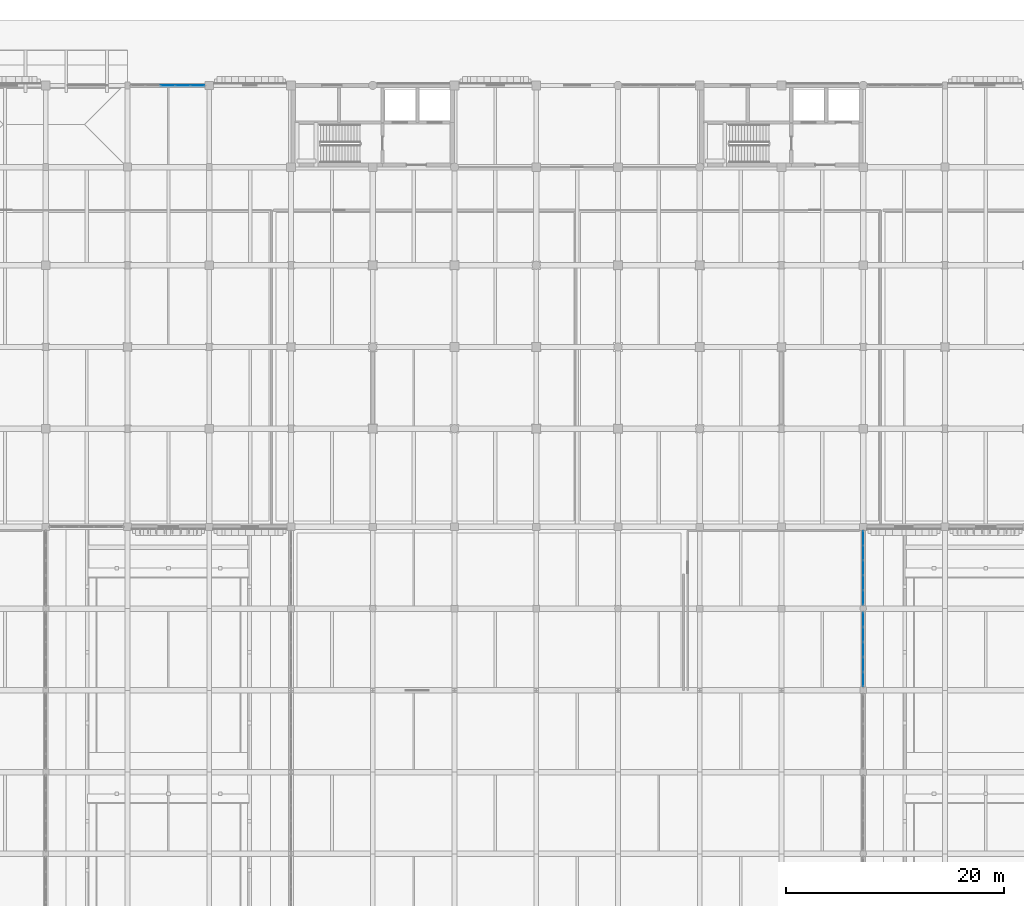
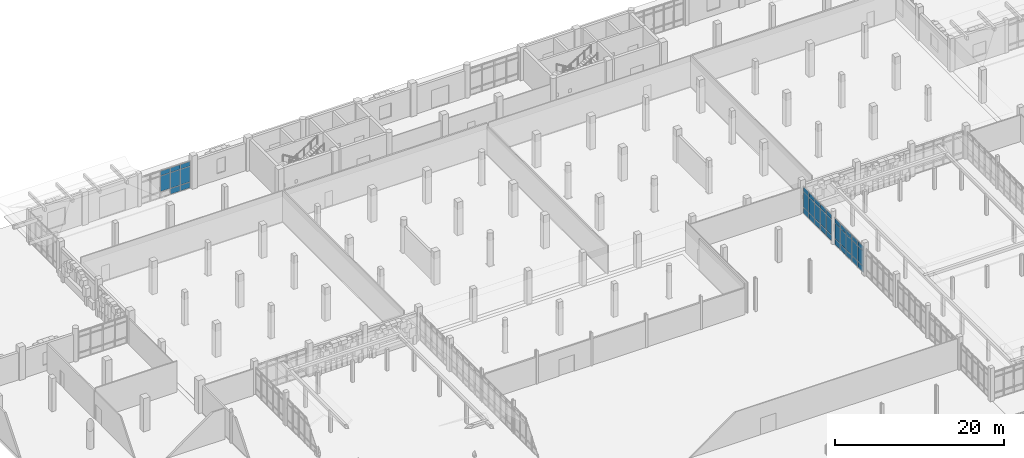
# One storey, part 79 of 125: 38 plates, 3 elements without a shape of their own.
"""IFC4 building model written with IfcOpenShell, lengths in metres."""

from ifc_helpers import new_model, si_unit, direction, frame, origin, origin_2d, place, context, subcontext, project, spatial, rectangle, extrude, material, layer, layer_set, type_object, element, aggregate, save


model = new_model("IFC4")

# Units and contexts
model_context = context("Model", 3, precision=1e-05, world=origin(), true_north=direction((0.0, 1.0)))
body_context = subcontext(model_context, "Body", "Model", "MODEL_VIEW")
ifc_project = project(units=[si_unit("LENGTHUNIT", "METRE"), si_unit("AREAUNIT", "SQUARE_METRE"), si_unit("VOLUMEUNIT", "CUBIC_METRE"), si_unit("PLANEANGLEUNIT", "RADIAN"), si_unit("MASSUNIT", "GRAM", prefix="KILO")], contexts=[model_context])

# Site, building, storey
site_placement = place(None, origin())
site = spatial("IfcSite", under=ifc_project, at=site_placement, CompositionType="ELEMENT")
building_placement = place(site_placement, origin())
building = spatial("IfcBuilding", under=site, at=building_placement, Name="Dalvernix Boulevard General Hospital", CompositionType="ELEMENT")
storey_placement = place(building_placement, origin())
storey = spatial("IfcBuildingStorey", under=building, at=storey_placement, Name="L00", CompositionType="ELEMENT", Elevation=0.0)

# Curtain wall, plates
ifc_material_1 = material(Name="Thermally broken aluminium and solar-control glass curtain wall", Category="aluminium")
ifc_layer_1 = layer(ifc_material_1, 0.159912109375)
ifc_layer_set_1 = layer_set([ifc_layer_1], Name="Thermally broken aluminium and solar-control glass curtain wall (CW-CW-A-69x40)")
curtain_wall_type_1 = type_object("IfcCurtainWallType", Name="CW-CW-A-69x40", PredefinedType="USERDEFINED", material=ifc_layer_set_1)
curtain_wall_1_placement = place(storey_placement, origin())
curtain_wall_1 = element("IfcCurtainWall", 1, at=curtain_wall_1_placement, inside=storey, type_object=curtain_wall_type_1, Name="L00 curtain wall CW-A-69x40 6-15", ObjectType="GLAZED FACADE", PredefinedType="USERDEFINED")
ifc_material_2 = material(Name="Double-glazed solar-control low-emissivity glass", Category="glass")
ifc_layer_2 = layer(ifc_material_2, 0.02392578125)
ifc_layer_set_2 = layer_set([ifc_layer_2], Name="Double-glazed solar-control low-emissivity glass (PLT-CW-P1)")
plate_type_1 = type_object("IfcPlateType", Name="PLT-CW-P1", PredefinedType="CURTAIN_PANEL", material=ifc_layer_set_2)
plate_1_placement = place(storey_placement, frame((48.6875, 117.0, 0.93017578125), z_axis=(0.0, 0.0, 1.0), x_axis=(1.0, 0.0, 0.0)))
plate_1 = element("IfcPlate", 2, at=plate_1_placement, type_object=plate_type_1, Name="CW-A-69x40 panel 3.2", PredefinedType="CURTAIN_PANEL", context=body_context, shape_type="SweptSolid", body=[
    extrude(rectangle(XDim=1.31103515625, YDim=0.02392578125, at=origin_2d()), origin(), (0.0, 0.0, 1.0), 2.239990234375),
])
plate_2_placement = place(storey_placement, frame((48.6875, 117.0, 3.22998046875), z_axis=(0.0, 0.0, 1.0), x_axis=(1.0, 0.0, 0.0)))
plate_2 = element("IfcPlate", 3, at=plate_2_placement, type_object=plate_type_1, Name="CW-A-69x40 panel 3.3", PredefinedType="CURTAIN_PANEL", context=body_context, shape_type="SweptSolid", body=[
    extrude(rectangle(XDim=1.31103515625, YDim=0.02392578125, at=origin_2d()), origin(), (0.0, 0.0, 1.0), 0.659912109375),
])
plate_3_placement = place(storey_placement, frame((50.05859375, 117.0, 0.06005859375), z_axis=(0.0, 0.0, 1.0), x_axis=(1.0, 0.0, 0.0)))
plate_3 = element("IfcPlate", 4, at=plate_3_placement, type_object=plate_type_1, Name="CW-A-69x40 panel 4.1", PredefinedType="CURTAIN_PANEL", context=body_context, shape_type="SweptSolid", body=[
    extrude(rectangle(XDim=1.31103515625, YDim=0.02392578125, at=origin_2d()), origin(), (0.0, 0.0, 1.0), 0.81005859375),
])
plate_4_placement = place(storey_placement, frame((50.05859375, 117.0, 0.93017578125), z_axis=(0.0, 0.0, 1.0), x_axis=(1.0, 0.0, 0.0)))
plate_4 = element("IfcPlate", 5, at=plate_4_placement, type_object=plate_type_1, Name="CW-A-69x40 panel 4.2", PredefinedType="CURTAIN_PANEL", context=body_context, shape_type="SweptSolid", body=[
    extrude(rectangle(XDim=1.31103515625, YDim=0.02392578125, at=origin_2d()), origin(), (0.0, 0.0, 1.0), 2.239990234375),
])
plate_5_placement = place(storey_placement, frame((50.05859375, 117.0, 3.22998046875), z_axis=(0.0, 0.0, 1.0), x_axis=(1.0, 0.0, 0.0)))
plate_5 = element("IfcPlate", 6, at=plate_5_placement, type_object=plate_type_1, Name="CW-A-69x40 panel 4.3", PredefinedType="CURTAIN_PANEL", context=body_context, shape_type="SweptSolid", body=[
    extrude(rectangle(XDim=1.31103515625, YDim=0.02392578125, at=origin_2d()), origin(), (0.0, 0.0, 1.0), 0.659912109375),
])
plate_6_placement = place(storey_placement, frame((51.41455078125, 117.0, 0.06005859375), z_axis=(0.0, 0.0, 1.0), x_axis=(1.0, 0.0, 0.0)))
plate_6 = element("IfcPlate", 7, at=plate_6_placement, type_object=plate_type_1, Name="CW-A-69x40 panel 5.1", PredefinedType="CURTAIN_PANEL", context=body_context, shape_type="SweptSolid", body=[
    extrude(rectangle(XDim=1.281005859375, YDim=0.02392578125, at=origin_2d()), origin(), (0.0, 0.0, 1.0), 0.81005859375),
])
plate_7_placement = place(storey_placement, frame((51.41455078125, 117.0, 0.93017578125), z_axis=(0.0, 0.0, 1.0), x_axis=(1.0, 0.0, 0.0)))
plate_7 = element("IfcPlate", 8, at=plate_7_placement, type_object=plate_type_1, Name="CW-A-69x40 panel 5.2", PredefinedType="CURTAIN_PANEL", context=body_context, shape_type="SweptSolid", body=[
    extrude(rectangle(XDim=1.281005859375, YDim=0.02392578125, at=origin_2d()), origin(), (0.0, 0.0, 1.0), 2.239990234375),
])
plate_8_placement = place(storey_placement, frame((51.41455078125, 117.0, 3.22998046875), z_axis=(0.0, 0.0, 1.0), x_axis=(1.0, 0.0, 0.0)))
plate_8 = element("IfcPlate", 9, at=plate_8_placement, type_object=plate_type_1, Name="CW-A-69x40 panel 5.3", PredefinedType="CURTAIN_PANEL", context=body_context, shape_type="SweptSolid", body=[
    extrude(rectangle(XDim=1.281005859375, YDim=0.02392578125, at=origin_2d()), origin(), (0.0, 0.0, 1.0), 0.659912109375),
])
aggregate(curtain_wall_1, [plate_1, plate_2, plate_3, plate_4, plate_5, plate_6, plate_7, plate_8])

ifc_layer_3 = layer(ifc_material_1, 0.159912109375)
ifc_layer_set_3 = layer_set([ifc_layer_3], Name="Thermally broken aluminium and solar-control glass curtain wall (CW-CW-A-69x39)")
curtain_wall_type_2 = type_object("IfcCurtainWallType", Name="CW-CW-A-69x39", PredefinedType="USERDEFINED", material=ifc_layer_set_3)
curtain_wall_2_placement = place(storey_placement, origin())
curtain_wall_2 = element("IfcCurtainWall", 10, at=curtain_wall_2_placement, inside=storey, type_object=curtain_wall_type_2, Name="L00 curtain wall CW-A-69x39 15-9", ObjectType="GLAZED FACADE", PredefinedType="USERDEFINED")
plate_9_placement = place(storey_placement, frame((112.5, 75.464599609375, 0.06005859375), z_axis=(0.0, 0.0, 1.0), x_axis=(0.0, -1.0, 0.0)))
plate_9 = element("IfcPlate", 11, at=plate_9_placement, type_object=plate_type_1, Name="CW-A-69x39 panel 1.1", PredefinedType="CURTAIN_PANEL", context=body_context, shape_type="SweptSolid", body=[
    extrude(rectangle(XDim=1.281005859375, YDim=0.02392578125, at=origin_2d()), origin(), (0.0, 0.0, 1.0), 0.81005859375),
])
plate_10_placement = place(storey_placement, frame((112.5, 75.464599609375, 0.929931640625), z_axis=(0.0, 0.0, 1.0), x_axis=(0.0, -1.0, 0.0)))
plate_10 = element("IfcPlate", 12, at=plate_10_placement, type_object=plate_type_1, Name="CW-A-69x39 panel 1.2", PredefinedType="CURTAIN_PANEL", context=body_context, shape_type="SweptSolid", body=[
    extrude(rectangle(XDim=1.281005859375, YDim=0.02392578125, at=origin_2d()), origin(), (0.0, 0.0, 1.0), 2.18994140625),
])
plate_11_placement = place(storey_placement, frame((112.5, 75.464599609375, 3.18017578125), z_axis=(0.0, 0.0, 1.0), x_axis=(0.0, -1.0, 0.0)))
plate_11 = element("IfcPlate", 13, at=plate_11_placement, type_object=plate_type_1, Name="CW-A-69x39 panel 1.3", PredefinedType="CURTAIN_PANEL", context=body_context, shape_type="SweptSolid", body=[
    extrude(rectangle(XDim=1.281005859375, YDim=0.02392578125, at=origin_2d()), origin(), (0.0, 0.0, 1.0), 0.659912109375),
])
plate_12_placement = place(storey_placement, frame((112.5, 74.1083984375, 0.06005859375), z_axis=(0.0, 0.0, 1.0), x_axis=(0.0, -1.0, 0.0)))
plate_12 = element("IfcPlate", 14, at=plate_12_placement, type_object=plate_type_1, Name="CW-A-69x39 panel 2.1", PredefinedType="CURTAIN_PANEL", context=body_context, shape_type="SweptSolid", body=[
    extrude(rectangle(XDim=1.31103515625, YDim=0.02392578125, at=origin_2d()), origin(), (0.0, 0.0, 1.0), 0.81005859375),
])
plate_13_placement = place(storey_placement, frame((112.5, 74.1083984375, 0.929931640625), z_axis=(0.0, 0.0, 1.0), x_axis=(0.0, -1.0, 0.0)))
plate_13 = element("IfcPlate", 15, at=plate_13_placement, type_object=plate_type_1, Name="CW-A-69x39 panel 2.2", PredefinedType="CURTAIN_PANEL", context=body_context, shape_type="SweptSolid", body=[
    extrude(rectangle(XDim=1.31103515625, YDim=0.02392578125, at=origin_2d()), origin(), (0.0, 0.0, 1.0), 2.18994140625),
])
plate_14_placement = place(storey_placement, frame((112.5, 74.1083984375, 3.18017578125), z_axis=(0.0, 0.0, 1.0), x_axis=(0.0, -1.0, 0.0)))
plate_14 = element("IfcPlate", 16, at=plate_14_placement, type_object=plate_type_1, Name="CW-A-69x39 panel 2.3", PredefinedType="CURTAIN_PANEL", context=body_context, shape_type="SweptSolid", body=[
    extrude(rectangle(XDim=1.31103515625, YDim=0.02392578125, at=origin_2d()), origin(), (0.0, 0.0, 1.0), 0.659912109375),
])
plate_15_placement = place(storey_placement, frame((112.5, 72.737548828125, 0.06005859375), z_axis=(0.0, 0.0, 1.0), x_axis=(0.0, -1.0, 0.0)))
plate_15 = element("IfcPlate", 17, at=plate_15_placement, type_object=plate_type_1, Name="CW-A-69x39 panel 3.1", PredefinedType="CURTAIN_PANEL", context=body_context, shape_type="SweptSolid", body=[
    extrude(rectangle(XDim=1.31103515625, YDim=0.02392578125, at=origin_2d()), origin(), (0.0, 0.0, 1.0), 0.81005859375),
])
plate_16_placement = place(storey_placement, frame((112.5, 72.737548828125, 0.929931640625), z_axis=(0.0, 0.0, 1.0), x_axis=(0.0, -1.0, 0.0)))
plate_16 = element("IfcPlate", 18, at=plate_16_placement, type_object=plate_type_1, Name="CW-A-69x39 panel 3.2", PredefinedType="CURTAIN_PANEL", context=body_context, shape_type="SweptSolid", body=[
    extrude(rectangle(XDim=1.31103515625, YDim=0.02392578125, at=origin_2d()), origin(), (0.0, 0.0, 1.0), 2.18994140625),
])
plate_17_placement = place(storey_placement, frame((112.5, 72.737548828125, 3.18017578125), z_axis=(0.0, 0.0, 1.0), x_axis=(0.0, -1.0, 0.0)))
plate_17 = element("IfcPlate", 19, at=plate_17_placement, type_object=plate_type_1, Name="CW-A-69x39 panel 3.3", PredefinedType="CURTAIN_PANEL", context=body_context, shape_type="SweptSolid", body=[
    extrude(rectangle(XDim=1.31103515625, YDim=0.02392578125, at=origin_2d()), origin(), (0.0, 0.0, 1.0), 0.659912109375),
])
plate_18_placement = place(storey_placement, frame((112.5, 71.366455078125, 0.06005859375), z_axis=(0.0, 0.0, 1.0), x_axis=(0.0, -1.0, 0.0)))
plate_18 = element("IfcPlate", 20, at=plate_18_placement, type_object=plate_type_1, Name="CW-A-69x39 panel 4.1", PredefinedType="CURTAIN_PANEL", context=body_context, shape_type="SweptSolid", body=[
    extrude(rectangle(XDim=1.31103515625, YDim=0.02392578125, at=origin_2d()), origin(), (0.0, 0.0, 1.0), 0.81005859375),
])
plate_19_placement = place(storey_placement, frame((112.5, 71.366455078125, 0.929931640625), z_axis=(0.0, 0.0, 1.0), x_axis=(0.0, -1.0, 0.0)))
plate_19 = element("IfcPlate", 21, at=plate_19_placement, type_object=plate_type_1, Name="CW-A-69x39 panel 4.2", PredefinedType="CURTAIN_PANEL", context=body_context, shape_type="SweptSolid", body=[
    extrude(rectangle(XDim=1.31103515625, YDim=0.02392578125, at=origin_2d()), origin(), (0.0, 0.0, 1.0), 2.18994140625),
])
plate_20_placement = place(storey_placement, frame((112.5, 71.366455078125, 3.18017578125), z_axis=(0.0, 0.0, 1.0), x_axis=(0.0, -1.0, 0.0)))
plate_20 = element("IfcPlate", 22, at=plate_20_placement, type_object=plate_type_1, Name="CW-A-69x39 panel 4.3", PredefinedType="CURTAIN_PANEL", context=body_context, shape_type="SweptSolid", body=[
    extrude(rectangle(XDim=1.31103515625, YDim=0.02392578125, at=origin_2d()), origin(), (0.0, 0.0, 1.0), 0.659912109375),
])
plate_21_placement = place(storey_placement, frame((112.5, 70.010498046875, 0.06005859375), z_axis=(0.0, 0.0, 1.0), x_axis=(0.0, -1.0, 0.0)))
plate_21 = element("IfcPlate", 23, at=plate_21_placement, type_object=plate_type_1, Name="CW-A-69x39 panel 5.1", PredefinedType="CURTAIN_PANEL", context=body_context, shape_type="SweptSolid", body=[
    extrude(rectangle(XDim=1.281005859375, YDim=0.02392578125, at=origin_2d()), origin(), (0.0, 0.0, 1.0), 0.81005859375),
])
plate_22_placement = place(storey_placement, frame((112.5, 70.010498046875, 0.929931640625), z_axis=(0.0, 0.0, 1.0), x_axis=(0.0, -1.0, 0.0)))
plate_22 = element("IfcPlate", 24, at=plate_22_placement, type_object=plate_type_1, Name="CW-A-69x39 panel 5.2", PredefinedType="CURTAIN_PANEL", context=body_context, shape_type="SweptSolid", body=[
    extrude(rectangle(XDim=1.281005859375, YDim=0.02392578125, at=origin_2d()), origin(), (0.0, 0.0, 1.0), 2.18994140625),
])
plate_23_placement = place(storey_placement, frame((112.5, 70.010498046875, 3.18017578125), z_axis=(0.0, 0.0, 1.0), x_axis=(0.0, -1.0, 0.0)))
plate_23 = element("IfcPlate", 25, at=plate_23_placement, type_object=plate_type_1, Name="CW-A-69x39 panel 5.3", PredefinedType="CURTAIN_PANEL", context=body_context, shape_type="SweptSolid", body=[
    extrude(rectangle(XDim=1.281005859375, YDim=0.02392578125, at=origin_2d()), origin(), (0.0, 0.0, 1.0), 0.659912109375),
])
aggregate(curtain_wall_2, [plate_9, plate_10, plate_11, plate_12, plate_13, plate_14, plate_15, plate_16, plate_17, plate_18, plate_19, plate_20, plate_21, plate_22, plate_23])

ifc_layer_4 = layer(ifc_material_1, 0.199951171875)
ifc_layer_set_4 = layer_set([ifc_layer_4], Name="Thermally broken aluminium and solar-control glass curtain wall (CW-CW-C-69x39)")
curtain_wall_type_3 = type_object("IfcCurtainWallType", Name="CW-CW-C-69x39", PredefinedType="USERDEFINED", material=ifc_layer_set_4)
curtain_wall_3_placement = place(storey_placement, origin())
curtain_wall_3 = element("IfcCurtainWall", 26, at=curtain_wall_3_placement, inside=storey, type_object=curtain_wall_type_3, Name="L00 curtain wall CW-C-69x39 15-8", ObjectType="GLAZED FACADE", PredefinedType="USERDEFINED")
ifc_layer_5 = layer(ifc_material_2, 0.035888671875)
ifc_layer_set_5 = layer_set([ifc_layer_5], Name="Double-glazed solar-control low-emissivity glass (PLT-CW-P3)")
plate_type_2 = type_object("IfcPlateType", Name="PLT-CW-P3", PredefinedType="CURTAIN_PANEL", material=ifc_layer_set_5)
plate_24_placement = place(storey_placement, frame((112.5, 67.984619140625, 0.070068359375), z_axis=(0.0, 0.0, 1.0), x_axis=(0.0, -1.0, 0.0)))
plate_24 = element("IfcPlate", 27, at=plate_24_placement, type_object=plate_type_2, Name="CW-C-69x39 panel 1.1", PredefinedType="CURTAIN_PANEL", context=body_context, shape_type="SweptSolid", body=[
    extrude(rectangle(XDim=1.27099609375, YDim=0.035888671875, at=origin_2d()), origin(), (0.0, 0.0, 1.0), 0.794921875),
])
plate_25_placement = place(storey_placement, frame((112.5, 67.984619140625, 0.93505859375), z_axis=(0.0, 0.0, 1.0), x_axis=(0.0, -1.0, 0.0)))
plate_25 = element("IfcPlate", 28, at=plate_25_placement, type_object=plate_type_2, Name="CW-C-69x39 panel 1.2", PredefinedType="CURTAIN_PANEL", context=body_context, shape_type="SweptSolid", body=[
    extrude(rectangle(XDim=1.27099609375, YDim=0.035888671875, at=origin_2d()), origin(), (0.0, 0.0, 1.0), 2.179931640625),
])
plate_26_placement = place(storey_placement, frame((112.5, 67.984619140625, 3.18505859375), z_axis=(0.0, 0.0, 1.0), x_axis=(0.0, -1.0, 0.0)))
plate_26 = element("IfcPlate", 29, at=plate_26_placement, type_object=plate_type_2, Name="CW-C-69x39 panel 1.3", PredefinedType="CURTAIN_PANEL", context=body_context, shape_type="SweptSolid", body=[
    extrude(rectangle(XDim=1.27099609375, YDim=0.035888671875, at=origin_2d()), origin(), (0.0, 0.0, 1.0), 0.64501953125),
])
plate_27_placement = place(storey_placement, frame((112.5, 66.6259765625, 0.070068359375), z_axis=(0.0, 0.0, 1.0), x_axis=(0.0, -1.0, 0.0)))
plate_27 = element("IfcPlate", 30, at=plate_27_placement, type_object=plate_type_2, Name="CW-C-69x39 panel 2.1", PredefinedType="CURTAIN_PANEL", context=body_context, shape_type="SweptSolid", body=[
    extrude(rectangle(XDim=1.305908203125, YDim=0.035888671875, at=origin_2d()), origin(), (0.0, 0.0, 1.0), 0.794921875),
])
plate_28_placement = place(storey_placement, frame((112.5, 66.6259765625, 0.93505859375), z_axis=(0.0, 0.0, 1.0), x_axis=(0.0, -1.0, 0.0)))
plate_28 = element("IfcPlate", 31, at=plate_28_placement, type_object=plate_type_2, Name="CW-C-69x39 panel 2.2", PredefinedType="CURTAIN_PANEL", context=body_context, shape_type="SweptSolid", body=[
    extrude(rectangle(XDim=1.305908203125, YDim=0.035888671875, at=origin_2d()), origin(), (0.0, 0.0, 1.0), 2.179931640625),
])
plate_29_placement = place(storey_placement, frame((112.5, 66.6259765625, 3.18505859375), z_axis=(0.0, 0.0, 1.0), x_axis=(0.0, -1.0, 0.0)))
plate_29 = element("IfcPlate", 32, at=plate_29_placement, type_object=plate_type_2, Name="CW-C-69x39 panel 2.3", PredefinedType="CURTAIN_PANEL", context=body_context, shape_type="SweptSolid", body=[
    extrude(rectangle(XDim=1.305908203125, YDim=0.035888671875, at=origin_2d()), origin(), (0.0, 0.0, 1.0), 0.64501953125),
])
plate_30_placement = place(storey_placement, frame((112.5, 65.25, 0.070068359375), z_axis=(0.0, 0.0, 1.0), x_axis=(0.0, -1.0, 0.0)))
plate_30 = element("IfcPlate", 33, at=plate_30_placement, type_object=plate_type_2, Name="CW-C-69x39 panel 3.1", PredefinedType="CURTAIN_PANEL", context=body_context, shape_type="SweptSolid", body=[
    extrude(rectangle(XDim=1.305908203125, YDim=0.035888671875, at=origin_2d()), origin(), (0.0, 0.0, 1.0), 0.794921875),
])
plate_31_placement = place(storey_placement, frame((112.5, 65.25, 0.93505859375), z_axis=(0.0, 0.0, 1.0), x_axis=(0.0, -1.0, 0.0)))
plate_31 = element("IfcPlate", 34, at=plate_31_placement, type_object=plate_type_2, Name="CW-C-69x39 panel 3.2", PredefinedType="CURTAIN_PANEL", context=body_context, shape_type="SweptSolid", body=[
    extrude(rectangle(XDim=1.305908203125, YDim=0.035888671875, at=origin_2d()), origin(), (0.0, 0.0, 1.0), 2.179931640625),
])
plate_32_placement = place(storey_placement, frame((112.5, 65.25, 3.18505859375), z_axis=(0.0, 0.0, 1.0), x_axis=(0.0, -1.0, 0.0)))
plate_32 = element("IfcPlate", 35, at=plate_32_placement, type_object=plate_type_2, Name="CW-C-69x39 panel 3.3", PredefinedType="CURTAIN_PANEL", context=body_context, shape_type="SweptSolid", body=[
    extrude(rectangle(XDim=1.305908203125, YDim=0.035888671875, at=origin_2d()), origin(), (0.0, 0.0, 1.0), 0.64501953125),
])
plate_33_placement = place(storey_placement, frame((112.5, 63.8740234375, 0.070068359375), z_axis=(0.0, 0.0, 1.0), x_axis=(0.0, -1.0, 0.0)))
plate_33 = element("IfcPlate", 36, at=plate_33_placement, type_object=plate_type_2, Name="CW-C-69x39 panel 4.1", PredefinedType="CURTAIN_PANEL", context=body_context, shape_type="SweptSolid", body=[
    extrude(rectangle(XDim=1.305908203125, YDim=0.035888671875, at=origin_2d()), origin(), (0.0, 0.0, 1.0), 0.794921875),
])
plate_34_placement = place(storey_placement, frame((112.5, 63.8740234375, 0.93505859375), z_axis=(0.0, 0.0, 1.0), x_axis=(0.0, -1.0, 0.0)))
plate_34 = element("IfcPlate", 37, at=plate_34_placement, type_object=plate_type_2, Name="CW-C-69x39 panel 4.2", PredefinedType="CURTAIN_PANEL", context=body_context, shape_type="SweptSolid", body=[
    extrude(rectangle(XDim=1.305908203125, YDim=0.035888671875, at=origin_2d()), origin(), (0.0, 0.0, 1.0), 2.179931640625),
])
plate_35_placement = place(storey_placement, frame((112.5, 63.8740234375, 3.18505859375), z_axis=(0.0, 0.0, 1.0), x_axis=(0.0, -1.0, 0.0)))
plate_35 = element("IfcPlate", 38, at=plate_35_placement, type_object=plate_type_2, Name="CW-C-69x39 panel 4.3", PredefinedType="CURTAIN_PANEL", context=body_context, shape_type="SweptSolid", body=[
    extrude(rectangle(XDim=1.305908203125, YDim=0.035888671875, at=origin_2d()), origin(), (0.0, 0.0, 1.0), 0.64501953125),
])
plate_36_placement = place(storey_placement, frame((112.5, 62.515380859375, 0.070068359375), z_axis=(0.0, 0.0, 1.0), x_axis=(0.0, -1.0, 0.0)))
plate_36 = element("IfcPlate", 39, at=plate_36_placement, type_object=plate_type_2, Name="CW-C-69x39 panel 5.1", PredefinedType="CURTAIN_PANEL", context=body_context, shape_type="SweptSolid", body=[
    extrude(rectangle(XDim=1.27099609375, YDim=0.035888671875, at=origin_2d()), origin(), (0.0, 0.0, 1.0), 0.794921875),
])
plate_37_placement = place(storey_placement, frame((112.5, 62.515380859375, 0.93505859375), z_axis=(0.0, 0.0, 1.0), x_axis=(0.0, -1.0, 0.0)))
plate_37 = element("IfcPlate", 40, at=plate_37_placement, type_object=plate_type_2, Name="CW-C-69x39 panel 5.2", PredefinedType="CURTAIN_PANEL", context=body_context, shape_type="SweptSolid", body=[
    extrude(rectangle(XDim=1.27099609375, YDim=0.035888671875, at=origin_2d()), origin(), (0.0, 0.0, 1.0), 2.179931640625),
])
plate_38_placement = place(storey_placement, frame((112.5, 62.515380859375, 3.18505859375), z_axis=(0.0, 0.0, 1.0), x_axis=(0.0, -1.0, 0.0)))
plate_38 = element("IfcPlate", 41, at=plate_38_placement, type_object=plate_type_2, Name="CW-C-69x39 panel 5.3", PredefinedType="CURTAIN_PANEL", context=body_context, shape_type="SweptSolid", body=[
    extrude(rectangle(XDim=1.27099609375, YDim=0.035888671875, at=origin_2d()), origin(), (0.0, 0.0, 1.0), 0.64501953125),
])
aggregate(curtain_wall_3, [plate_24, plate_25, plate_26, plate_27, plate_28, plate_29, plate_30, plate_31, plate_32, plate_33, plate_34, plate_35, plate_36, plate_37, plate_38])

save(model, "model.ifc")
